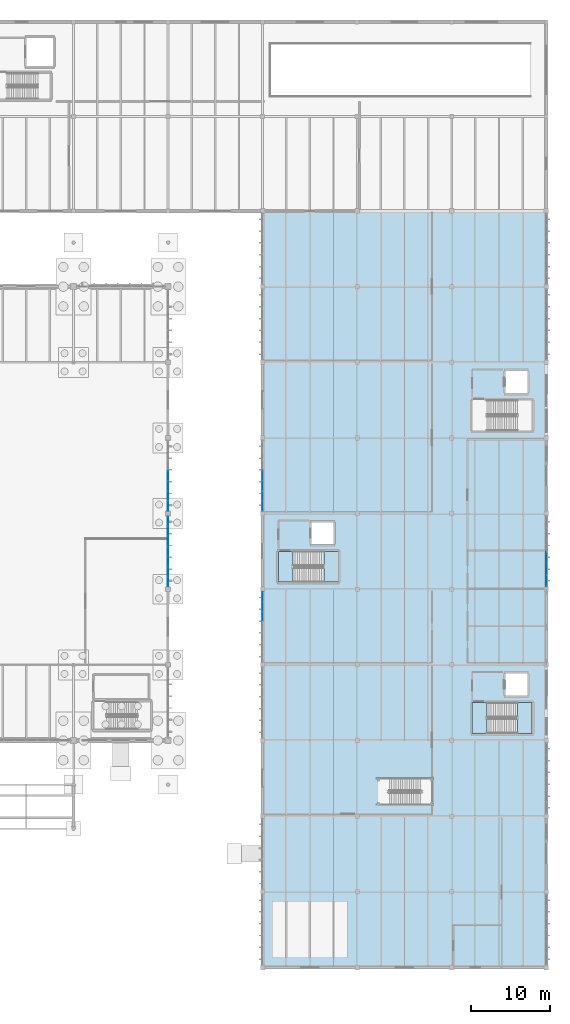
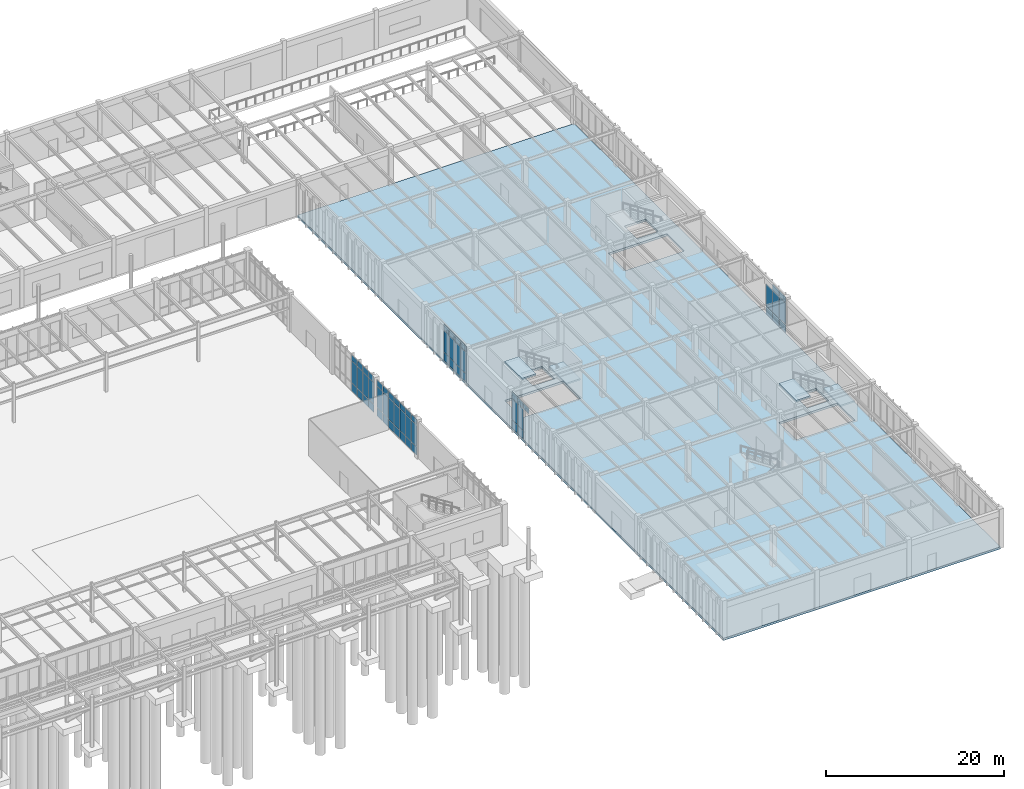
# One storey, part 142 of 188: 60 plates, 5 slabs, 7 elements without a shape of their own.
"""IFC4 building model written with IfcOpenShell, lengths in metres."""

from ifc_helpers import new_model, si_unit, direction, frame, origin, origin_2d, place, context, subcontext, project, spatial, polyline, rectangle, outline, extrude, material, layer, layer_set, type_object, element, aggregate, save


model = new_model("IFC4")

# Units and contexts
model_context = context("Model", 3, precision=1e-05, world=origin(), true_north=direction((0.0, 1.0)))
body_context = subcontext(model_context, "Body", "Model", "MODEL_VIEW")
ifc_project = project(units=[si_unit("LENGTHUNIT", "METRE"), si_unit("AREAUNIT", "SQUARE_METRE"), si_unit("VOLUMEUNIT", "CUBIC_METRE"), si_unit("PLANEANGLEUNIT", "RADIAN"), si_unit("MASSUNIT", "GRAM", prefix="KILO")], contexts=[model_context])

# Site, building, storey
site_placement = place(None, origin())
site = spatial("IfcSite", under=ifc_project, at=site_placement, CompositionType="ELEMENT")
building_placement = place(site_placement, origin())
building = spatial("IfcBuilding", under=site, at=building_placement, Name="Pandanus Reach Market Hall", CompositionType="ELEMENT")
storey_placement = place(building_placement, origin())
storey = spatial("IfcBuildingStorey", under=building, at=storey_placement, Name="L00", CompositionType="ELEMENT", Elevation=0.0)

# Curtain wall, plates
ifc_material_1 = material(Name="Bronze anodised aluminium and low-E glass", Category="aluminium")
ifc_layer_1 = layer(ifc_material_1, 0.159912109375, Name="CW-25")
ifc_layer_set_1 = layer_set([ifc_layer_1], Name="Bronze anodised aluminium and low-E glass")
curtain_wall_type_1 = type_object("IfcCurtainWallType", Name="CW-25", PredefinedType="NOTDEFINED", material=ifc_layer_set_1)
curtain_wall_1_placement = place(storey_placement, origin())
curtain_wall_1 = element("IfcCurtainWall", 1, at=curtain_wall_1_placement, inside=storey, type_object=curtain_wall_type_1, Name="Glazed curtain wall CW-25 CW-0072", PredefinedType="NOTDEFINED")
ifc_material_2 = material(Name="Solar-control double glazing", Category="glass")
ifc_layer_2 = layer(ifc_material_2, 0.028076171875, Name="CW-P1")
ifc_layer_set_2 = layer_set([ifc_layer_2], Name="Solar-control double glazing")
plate_type_1 = type_object("IfcPlateType", Name="CW-P1", PredefinedType="CURTAIN_PANEL", material=ifc_layer_set_2)
plate_1_placement = place(storey_placement, frame((180.0, 49.066162109375, 0.06494140625), z_axis=(0.0, 0.0, 1.0), x_axis=(0.0, 1.0, 0.0)))
plate_1 = element("IfcPlate", 2, at=plate_1_placement, type_object=plate_type_1, Name="CW-25 panel 1.1", PredefinedType="CURTAIN_PANEL", context=body_context, shape_type="SweptSolid", body=[
    extrude(rectangle(XDim=1.402587890625, YDim=0.028076171875, at=origin_2d()), origin(), (0.0, 0.0, 1.0), 1.1025390625),
])
plate_2_placement = place(storey_placement, frame((180.0, 49.066162109375, 1.232421875), z_axis=(0.0, 0.0, 1.0), x_axis=(0.0, 1.0, 0.0)))
plate_2 = element("IfcPlate", 3, at=plate_2_placement, type_object=plate_type_1, Name="CW-25 panel 1.2", PredefinedType="CURTAIN_PANEL", context=body_context, shape_type="SweptSolid", body=[
    extrude(rectangle(XDim=1.402587890625, YDim=0.028076171875, at=origin_2d()), origin(), (0.0, 0.0, 1.0), 2.93505859375),
])
plate_3_placement = place(storey_placement, frame((180.0, 49.066162109375, 4.232421875), z_axis=(0.0, 0.0, 1.0), x_axis=(0.0, 1.0, 0.0)))
plate_3 = element("IfcPlate", 4, at=plate_3_placement, type_object=plate_type_1, Name="CW-25 panel 1.3", PredefinedType="CURTAIN_PANEL", context=body_context, shape_type="SweptSolid", body=[
    extrude(rectangle(XDim=1.402587890625, YDim=0.028076171875, at=origin_2d()), origin(), (0.0, 0.0, 1.0), 0.802490234375),
])
plate_4_placement = place(storey_placement, frame((180.0, 50.550048828125, 0.06494140625), z_axis=(0.0, 0.0, 1.0), x_axis=(0.0, 1.0, 0.0)))
plate_4 = element("IfcPlate", 5, at=plate_4_placement, type_object=plate_type_1, Name="CW-25 panel 2.1", PredefinedType="CURTAIN_PANEL", context=body_context, shape_type="SweptSolid", body=[
    extrude(rectangle(XDim=1.43505859375, YDim=0.028076171875, at=origin_2d()), origin(), (0.0, 0.0, 1.0), 1.1025390625),
])
plate_5_placement = place(storey_placement, frame((180.0, 50.550048828125, 1.232421875), z_axis=(0.0, 0.0, 1.0), x_axis=(0.0, 1.0, 0.0)))
plate_5 = element("IfcPlate", 6, at=plate_5_placement, type_object=plate_type_1, Name="CW-25 panel 2.2", PredefinedType="CURTAIN_PANEL", context=body_context, shape_type="SweptSolid", body=[
    extrude(rectangle(XDim=1.43505859375, YDim=0.028076171875, at=origin_2d()), origin(), (0.0, 0.0, 1.0), 2.93505859375),
])
plate_6_placement = place(storey_placement, frame((180.0, 50.550048828125, 4.232421875), z_axis=(0.0, 0.0, 1.0), x_axis=(0.0, 1.0, 0.0)))
plate_6 = element("IfcPlate", 7, at=plate_6_placement, type_object=plate_type_1, Name="CW-25 panel 2.3", PredefinedType="CURTAIN_PANEL", context=body_context, shape_type="SweptSolid", body=[
    extrude(rectangle(XDim=1.43505859375, YDim=0.028076171875, at=origin_2d()), origin(), (0.0, 0.0, 1.0), 0.802490234375),
])
plate_7_placement = place(storey_placement, frame((180.0, 52.050048828125, 0.06494140625), z_axis=(0.0, 0.0, 1.0), x_axis=(0.0, 1.0, 0.0)))
plate_7 = element("IfcPlate", 8, at=plate_7_placement, type_object=plate_type_1, Name="CW-25 panel 3.1", PredefinedType="CURTAIN_PANEL", context=body_context, shape_type="SweptSolid", body=[
    extrude(rectangle(XDim=1.43505859375, YDim=0.028076171875, at=origin_2d()), origin(), (0.0, 0.0, 1.0), 1.1025390625),
])
plate_8_placement = place(storey_placement, frame((180.0, 52.050048828125, 1.232421875), z_axis=(0.0, 0.0, 1.0), x_axis=(0.0, 1.0, 0.0)))
plate_8 = element("IfcPlate", 9, at=plate_8_placement, type_object=plate_type_1, Name="CW-25 panel 3.2", PredefinedType="CURTAIN_PANEL", context=body_context, shape_type="SweptSolid", body=[
    extrude(rectangle(XDim=1.43505859375, YDim=0.028076171875, at=origin_2d()), origin(), (0.0, 0.0, 1.0), 2.93505859375),
])
aggregate(curtain_wall_1, [plate_1, plate_2, plate_3, plate_4, plate_5, plate_6, plate_7, plate_8])

ifc_layer_3 = layer(ifc_material_1, 0.159912109375, Name="CW-26")
ifc_layer_set_3 = layer_set([ifc_layer_3], Name="Bronze anodised aluminium and low-E glass")
curtain_wall_type_2 = type_object("IfcCurtainWallType", Name="CW-26", PredefinedType="NOTDEFINED", material=ifc_layer_set_3)
curtain_wall_2_placement = place(storey_placement, origin())
curtain_wall_2 = element("IfcCurtainWall", 10, at=curtain_wall_2_placement, inside=storey, type_object=curtain_wall_type_2, Name="Glazed curtain wall CW-26 CW-0078", PredefinedType="NOTDEFINED")
plate_9_placement = place(storey_placement, frame((144.0, 44.485595703125, 4.232421875), z_axis=(0.0, 0.0, 1.0), x_axis=(0.0, 1.0, 0.0)))
plate_9 = element("IfcPlate", 11, at=plate_9_placement, type_object=plate_type_1, Name="CW-26 panel 5.3", PredefinedType="CURTAIN_PANEL", context=body_context, shape_type="SweptSolid", body=[
    extrude(rectangle(XDim=1.220703125, YDim=0.028076171875, at=origin_2d()), origin(), (0.0, 0.0, 1.0), 0.802490234375),
])
plate_10_placement = place(storey_placement, frame((144.0, 45.771484375, 0.06494140625), z_axis=(0.0, 0.0, 1.0), x_axis=(0.0, 1.0, 0.0)))
plate_10 = element("IfcPlate", 12, at=plate_10_placement, type_object=plate_type_1, Name="CW-26 panel 6.1", PredefinedType="CURTAIN_PANEL", context=body_context, shape_type="SweptSolid", body=[
    extrude(rectangle(XDim=1.220703125, YDim=0.028076171875, at=origin_2d()), origin(), (0.0, 0.0, 1.0), 1.1025390625),
])
plate_11_placement = place(storey_placement, frame((144.0, 45.771484375, 1.232421875), z_axis=(0.0, 0.0, 1.0), x_axis=(0.0, 1.0, 0.0)))
plate_11 = element("IfcPlate", 13, at=plate_11_placement, type_object=plate_type_1, Name="CW-26 panel 6.2", PredefinedType="CURTAIN_PANEL", context=body_context, shape_type="SweptSolid", body=[
    extrude(rectangle(XDim=1.220703125, YDim=0.028076171875, at=origin_2d()), origin(), (0.0, 0.0, 1.0), 2.93505859375),
])
plate_12_placement = place(storey_placement, frame((144.0, 45.771484375, 4.232421875), z_axis=(0.0, 0.0, 1.0), x_axis=(0.0, 1.0, 0.0)))
plate_12 = element("IfcPlate", 14, at=plate_12_placement, type_object=plate_type_1, Name="CW-26 panel 6.3", PredefinedType="CURTAIN_PANEL", context=body_context, shape_type="SweptSolid", body=[
    extrude(rectangle(XDim=1.220703125, YDim=0.028076171875, at=origin_2d()), origin(), (0.0, 0.0, 1.0), 0.802490234375),
])
plate_13_placement = place(storey_placement, frame((144.0, 47.040771484375, 0.06494140625), z_axis=(0.0, 0.0, 1.0), x_axis=(0.0, 1.0, 0.0)))
plate_13 = element("IfcPlate", 15, at=plate_13_placement, type_object=plate_type_1, Name="CW-26 panel 7.1", PredefinedType="CURTAIN_PANEL", context=body_context, shape_type="SweptSolid", body=[
    extrude(rectangle(XDim=1.188232421875, YDim=0.028076171875, at=origin_2d()), origin(), (0.0, 0.0, 1.0), 1.1025390625),
])
plate_14_placement = place(storey_placement, frame((144.0, 47.040771484375, 1.232421875), z_axis=(0.0, 0.0, 1.0), x_axis=(0.0, 1.0, 0.0)))
plate_14 = element("IfcPlate", 16, at=plate_14_placement, type_object=plate_type_1, Name="CW-26 panel 7.2", PredefinedType="CURTAIN_PANEL", context=body_context, shape_type="SweptSolid", body=[
    extrude(rectangle(XDim=1.188232421875, YDim=0.028076171875, at=origin_2d()), origin(), (0.0, 0.0, 1.0), 2.93505859375),
])
plate_15_placement = place(storey_placement, frame((144.0, 47.040771484375, 4.232421875), z_axis=(0.0, 0.0, 1.0), x_axis=(0.0, 1.0, 0.0)))
plate_15 = element("IfcPlate", 17, at=plate_15_placement, type_object=plate_type_1, Name="CW-26 panel 7.3", PredefinedType="CURTAIN_PANEL", context=body_context, shape_type="SweptSolid", body=[
    extrude(rectangle(XDim=1.188232421875, YDim=0.028076171875, at=origin_2d()), origin(), (0.0, 0.0, 1.0), 0.802490234375),
])
aggregate(curtain_wall_2, [plate_9, plate_10, plate_11, plate_12, plate_13, plate_14, plate_15])

curtain_wall_3_placement = place(storey_placement, origin())
curtain_wall_3 = element("IfcCurtainWall", 18, at=curtain_wall_3_placement, inside=storey, type_object=curtain_wall_type_2, Name="Glazed curtain wall CW-26 CW-0079", PredefinedType="NOTDEFINED")
plate_16_placement = place(storey_placement, frame((144.0, 58.55908203125, 0.06494140625), z_axis=(0.0, 0.0, 1.0), x_axis=(0.0, 1.0, 0.0)))
plate_16 = element("IfcPlate", 19, at=plate_16_placement, type_object=plate_type_1, Name="CW-26 panel 1.1", PredefinedType="CURTAIN_PANEL", context=body_context, shape_type="SweptSolid", body=[
    extrude(rectangle(XDim=1.188232421875, YDim=0.028076171875, at=origin_2d()), origin(), (0.0, 0.0, 1.0), 1.1025390625),
])
plate_17_placement = place(storey_placement, frame((144.0, 58.55908203125, 1.232421875), z_axis=(0.0, 0.0, 1.0), x_axis=(0.0, 1.0, 0.0)))
plate_17 = element("IfcPlate", 20, at=plate_17_placement, type_object=plate_type_1, Name="CW-26 panel 1.2", PredefinedType="CURTAIN_PANEL", context=body_context, shape_type="SweptSolid", body=[
    extrude(rectangle(XDim=1.188232421875, YDim=0.028076171875, at=origin_2d()), origin(), (0.0, 0.0, 1.0), 2.93505859375),
])
plate_18_placement = place(storey_placement, frame((144.0, 58.55908203125, 4.232421875), z_axis=(0.0, 0.0, 1.0), x_axis=(0.0, 1.0, 0.0)))
plate_18 = element("IfcPlate", 21, at=plate_18_placement, type_object=plate_type_1, Name="CW-26 panel 1.3", PredefinedType="CURTAIN_PANEL", context=body_context, shape_type="SweptSolid", body=[
    extrude(rectangle(XDim=1.188232421875, YDim=0.028076171875, at=origin_2d()), origin(), (0.0, 0.0, 1.0), 0.802490234375),
])
plate_19_placement = place(storey_placement, frame((144.0, 59.82861328125, 0.06494140625), z_axis=(0.0, 0.0, 1.0), x_axis=(0.0, 1.0, 0.0)))
plate_19 = element("IfcPlate", 22, at=plate_19_placement, type_object=plate_type_1, Name="CW-26 panel 2.1", PredefinedType="CURTAIN_PANEL", context=body_context, shape_type="SweptSolid", body=[
    extrude(rectangle(XDim=1.220703125, YDim=0.028076171875, at=origin_2d()), origin(), (0.0, 0.0, 1.0), 1.1025390625),
])
plate_20_placement = place(storey_placement, frame((144.0, 59.82861328125, 1.232421875), z_axis=(0.0, 0.0, 1.0), x_axis=(0.0, 1.0, 0.0)))
plate_20 = element("IfcPlate", 23, at=plate_20_placement, type_object=plate_type_1, Name="CW-26 panel 2.2", PredefinedType="CURTAIN_PANEL", context=body_context, shape_type="SweptSolid", body=[
    extrude(rectangle(XDim=1.220703125, YDim=0.028076171875, at=origin_2d()), origin(), (0.0, 0.0, 1.0), 2.93505859375),
])
plate_21_placement = place(storey_placement, frame((144.0, 59.82861328125, 4.232421875), z_axis=(0.0, 0.0, 1.0), x_axis=(0.0, 1.0, 0.0)))
plate_21 = element("IfcPlate", 24, at=plate_21_placement, type_object=plate_type_1, Name="CW-26 panel 2.3", PredefinedType="CURTAIN_PANEL", context=body_context, shape_type="SweptSolid", body=[
    extrude(rectangle(XDim=1.220703125, YDim=0.028076171875, at=origin_2d()), origin(), (0.0, 0.0, 1.0), 0.802490234375),
])
plate_22_placement = place(storey_placement, frame((144.0, 61.1142578125, 0.06494140625), z_axis=(0.0, 0.0, 1.0), x_axis=(0.0, 1.0, 0.0)))
plate_22 = element("IfcPlate", 25, at=plate_22_placement, type_object=plate_type_1, Name="CW-26 panel 3.1", PredefinedType="CURTAIN_PANEL", context=body_context, shape_type="SweptSolid", body=[
    extrude(rectangle(XDim=1.220703125, YDim=0.028076171875, at=origin_2d()), origin(), (0.0, 0.0, 1.0), 1.1025390625),
])
plate_23_placement = place(storey_placement, frame((144.0, 61.1142578125, 1.232421875), z_axis=(0.0, 0.0, 1.0), x_axis=(0.0, 1.0, 0.0)))
plate_23 = element("IfcPlate", 26, at=plate_23_placement, type_object=plate_type_1, Name="CW-26 panel 3.2", PredefinedType="CURTAIN_PANEL", context=body_context, shape_type="SweptSolid", body=[
    extrude(rectangle(XDim=1.220703125, YDim=0.028076171875, at=origin_2d()), origin(), (0.0, 0.0, 1.0), 2.93505859375),
])
plate_24_placement = place(storey_placement, frame((144.0, 61.1142578125, 4.232421875), z_axis=(0.0, 0.0, 1.0), x_axis=(0.0, 1.0, 0.0)))
plate_24 = element("IfcPlate", 27, at=plate_24_placement, type_object=plate_type_1, Name="CW-26 panel 3.3", PredefinedType="CURTAIN_PANEL", context=body_context, shape_type="SweptSolid", body=[
    extrude(rectangle(XDim=1.220703125, YDim=0.028076171875, at=origin_2d()), origin(), (0.0, 0.0, 1.0), 0.802490234375),
])
plate_25_placement = place(storey_placement, frame((144.0, 62.39990234375, 0.06494140625), z_axis=(0.0, 0.0, 1.0), x_axis=(0.0, 1.0, 0.0)))
plate_25 = element("IfcPlate", 28, at=plate_25_placement, type_object=plate_type_1, Name="CW-26 panel 4.1", PredefinedType="CURTAIN_PANEL", context=body_context, shape_type="SweptSolid", body=[
    extrude(rectangle(XDim=1.220703125, YDim=0.028076171875, at=origin_2d()), origin(), (0.0, 0.0, 1.0), 1.1025390625),
])
plate_26_placement = place(storey_placement, frame((144.0, 62.39990234375, 1.232421875), z_axis=(0.0, 0.0, 1.0), x_axis=(0.0, 1.0, 0.0)))
plate_26 = element("IfcPlate", 29, at=plate_26_placement, type_object=plate_type_1, Name="CW-26 panel 4.2", PredefinedType="CURTAIN_PANEL", context=body_context, shape_type="SweptSolid", body=[
    extrude(rectangle(XDim=1.220703125, YDim=0.028076171875, at=origin_2d()), origin(), (0.0, 0.0, 1.0), 2.93505859375),
])
plate_27_placement = place(storey_placement, frame((144.0, 62.39990234375, 4.232421875), z_axis=(0.0, 0.0, 1.0), x_axis=(0.0, 1.0, 0.0)))
plate_27 = element("IfcPlate", 30, at=plate_27_placement, type_object=plate_type_1, Name="CW-26 panel 4.3", PredefinedType="CURTAIN_PANEL", context=body_context, shape_type="SweptSolid", body=[
    extrude(rectangle(XDim=1.220703125, YDim=0.028076171875, at=origin_2d()), origin(), (0.0, 0.0, 1.0), 0.802490234375),
])
aggregate(curtain_wall_3, [plate_16, plate_17, plate_18, plate_19, plate_20, plate_21, plate_22, plate_23, plate_24, plate_25, plate_26, plate_27])

ifc_layer_4 = layer(ifc_material_1, 0.199951171875, Name="CW-06")
ifc_layer_set_4 = layer_set([ifc_layer_4], Name="Bronze anodised aluminium and low-E glass")
curtain_wall_type_3 = type_object("IfcCurtainWallType", Name="CW-06", PredefinedType="NOTDEFINED", material=ifc_layer_set_4)
curtain_wall_4_placement = place(storey_placement, origin())
curtain_wall_4 = element("IfcCurtainWall", 31, at=curtain_wall_4_placement, inside=storey, type_object=curtain_wall_type_3, Name="Glazed curtain wall CW-06 CW-0026", PredefinedType="NOTDEFINED")
ifc_material_3 = material(Name="Acoustic laminated solar double glazing", Category="glass")
ifc_layer_5 = layer(ifc_material_3, 0.031982421875, Name="CW-P2")
ifc_layer_set_5 = layer_set([ifc_layer_5], Name="Acoustic laminated solar double glazing")
plate_type_2 = type_object("IfcPlateType", Name="CW-P2", PredefinedType="CURTAIN_PANEL", material=ifc_layer_set_5)
plate_28_placement = place(storey_placement, frame((132.0, 48.961669921875, 0.074951171875), z_axis=(0.0, 0.0, 1.0), x_axis=(0.0, 1.0, 0.0)))
plate_28 = element("IfcPlate", 32, at=plate_28_placement, type_object=plate_type_2, Name="CW-06 panel 1.1", PredefinedType="CURTAIN_PANEL", context=body_context, shape_type="SweptSolid", body=[
    extrude(rectangle(XDim=1.173095703125, YDim=0.031982421875, at=origin_2d()), origin(), (0.0, 0.0, 1.0), 1.08740234375),
])
plate_29_placement = place(storey_placement, frame((132.0, 48.961669921875, 1.2373046875), z_axis=(0.0, 0.0, 1.0), x_axis=(0.0, 1.0, 0.0)))
plate_29 = element("IfcPlate", 33, at=plate_29_placement, type_object=plate_type_2, Name="CW-06 panel 1.2", PredefinedType="CURTAIN_PANEL", context=body_context, shape_type="SweptSolid", body=[
    extrude(rectangle(XDim=1.173095703125, YDim=0.031982421875, at=origin_2d()), origin(), (0.0, 0.0, 1.0), 2.925048828125),
])
plate_30_placement = place(storey_placement, frame((132.0, 48.961669921875, 4.237548828125), z_axis=(0.0, 0.0, 1.0), x_axis=(0.0, 1.0, 0.0)))
plate_30 = element("IfcPlate", 34, at=plate_30_placement, type_object=plate_type_2, Name="CW-06 panel 1.3", PredefinedType="CURTAIN_PANEL", context=body_context, shape_type="SweptSolid", body=[
    extrude(rectangle(XDim=1.173095703125, YDim=0.031982421875, at=origin_2d()), origin(), (0.0, 0.0, 1.0), 0.78759765625),
])
plate_31_placement = place(storey_placement, frame((132.0, 50.228515625, 0.074951171875), z_axis=(0.0, 0.0, 1.0), x_axis=(0.0, 1.0, 0.0)))
plate_31 = element("IfcPlate", 35, at=plate_31_placement, type_object=plate_type_2, Name="CW-06 panel 2.1", PredefinedType="CURTAIN_PANEL", context=body_context, shape_type="SweptSolid", body=[
    extrude(rectangle(XDim=1.210693359375, YDim=0.031982421875, at=origin_2d()), origin(), (0.0, 0.0, 1.0), 1.08740234375),
])
plate_32_placement = place(storey_placement, frame((132.0, 50.228515625, 1.2373046875), z_axis=(0.0, 0.0, 1.0), x_axis=(0.0, 1.0, 0.0)))
plate_32 = element("IfcPlate", 36, at=plate_32_placement, type_object=plate_type_2, Name="CW-06 panel 2.2", PredefinedType="CURTAIN_PANEL", context=body_context, shape_type="SweptSolid", body=[
    extrude(rectangle(XDim=1.210693359375, YDim=0.031982421875, at=origin_2d()), origin(), (0.0, 0.0, 1.0), 2.925048828125),
])
plate_33_placement = place(storey_placement, frame((132.0, 50.228515625, 4.237548828125), z_axis=(0.0, 0.0, 1.0), x_axis=(0.0, 1.0, 0.0)))
plate_33 = element("IfcPlate", 37, at=plate_33_placement, type_object=plate_type_2, Name="CW-06 panel 2.3", PredefinedType="CURTAIN_PANEL", context=body_context, shape_type="SweptSolid", body=[
    extrude(rectangle(XDim=1.210693359375, YDim=0.031982421875, at=origin_2d()), origin(), (0.0, 0.0, 1.0), 0.78759765625),
])
plate_34_placement = place(storey_placement, frame((132.0, 51.514404296875, 0.074951171875), z_axis=(0.0, 0.0, 1.0), x_axis=(0.0, 1.0, 0.0)))
plate_34 = element("IfcPlate", 38, at=plate_34_placement, type_object=plate_type_2, Name="CW-06 panel 3.1", PredefinedType="CURTAIN_PANEL", context=body_context, shape_type="SweptSolid", body=[
    extrude(rectangle(XDim=1.210693359375, YDim=0.031982421875, at=origin_2d()), origin(), (0.0, 0.0, 1.0), 1.08740234375),
])
plate_35_placement = place(storey_placement, frame((132.0, 51.514404296875, 1.2373046875), z_axis=(0.0, 0.0, 1.0), x_axis=(0.0, 1.0, 0.0)))
plate_35 = element("IfcPlate", 39, at=plate_35_placement, type_object=plate_type_2, Name="CW-06 panel 3.2", PredefinedType="CURTAIN_PANEL", context=body_context, shape_type="SweptSolid", body=[
    extrude(rectangle(XDim=1.210693359375, YDim=0.031982421875, at=origin_2d()), origin(), (0.0, 0.0, 1.0), 2.925048828125),
])
plate_36_placement = place(storey_placement, frame((132.0, 51.514404296875, 4.237548828125), z_axis=(0.0, 0.0, 1.0), x_axis=(0.0, 1.0, 0.0)))
plate_36 = element("IfcPlate", 40, at=plate_36_placement, type_object=plate_type_2, Name="CW-06 panel 3.3", PredefinedType="CURTAIN_PANEL", context=body_context, shape_type="SweptSolid", body=[
    extrude(rectangle(XDim=1.210693359375, YDim=0.031982421875, at=origin_2d()), origin(), (0.0, 0.0, 1.0), 0.78759765625),
])
plate_37_placement = place(storey_placement, frame((132.0, 52.800048828125, 0.074951171875), z_axis=(0.0, 0.0, 1.0), x_axis=(0.0, 1.0, 0.0)))
plate_37 = element("IfcPlate", 41, at=plate_37_placement, type_object=plate_type_2, Name="CW-06 panel 4.1", PredefinedType="CURTAIN_PANEL", context=body_context, shape_type="SweptSolid", body=[
    extrude(rectangle(XDim=1.210693359375, YDim=0.031982421875, at=origin_2d()), origin(), (0.0, 0.0, 1.0), 1.08740234375),
])
plate_38_placement = place(storey_placement, frame((132.0, 52.800048828125, 1.2373046875), z_axis=(0.0, 0.0, 1.0), x_axis=(0.0, 1.0, 0.0)))
plate_38 = element("IfcPlate", 42, at=plate_38_placement, type_object=plate_type_2, Name="CW-06 panel 4.2", PredefinedType="CURTAIN_PANEL", context=body_context, shape_type="SweptSolid", body=[
    extrude(rectangle(XDim=1.210693359375, YDim=0.031982421875, at=origin_2d()), origin(), (0.0, 0.0, 1.0), 2.925048828125),
])
plate_39_placement = place(storey_placement, frame((132.0, 52.800048828125, 4.237548828125), z_axis=(0.0, 0.0, 1.0), x_axis=(0.0, 1.0, 0.0)))
plate_39 = element("IfcPlate", 43, at=plate_39_placement, type_object=plate_type_2, Name="CW-06 panel 4.3", PredefinedType="CURTAIN_PANEL", context=body_context, shape_type="SweptSolid", body=[
    extrude(rectangle(XDim=1.210693359375, YDim=0.031982421875, at=origin_2d()), origin(), (0.0, 0.0, 1.0), 0.78759765625),
])
plate_40_placement = place(storey_placement, frame((132.0, 54.085693359375, 0.074951171875), z_axis=(0.0, 0.0, 1.0), x_axis=(0.0, 1.0, 0.0)))
plate_40 = element("IfcPlate", 44, at=plate_40_placement, type_object=plate_type_2, Name="CW-06 panel 5.1", PredefinedType="CURTAIN_PANEL", context=body_context, shape_type="SweptSolid", body=[
    extrude(rectangle(XDim=1.210693359375, YDim=0.031982421875, at=origin_2d()), origin(), (0.0, 0.0, 1.0), 1.08740234375),
])
plate_41_placement = place(storey_placement, frame((132.0, 54.085693359375, 1.2373046875), z_axis=(0.0, 0.0, 1.0), x_axis=(0.0, 1.0, 0.0)))
plate_41 = element("IfcPlate", 45, at=plate_41_placement, type_object=plate_type_2, Name="CW-06 panel 5.2", PredefinedType="CURTAIN_PANEL", context=body_context, shape_type="SweptSolid", body=[
    extrude(rectangle(XDim=1.210693359375, YDim=0.031982421875, at=origin_2d()), origin(), (0.0, 0.0, 1.0), 2.925048828125),
])
plate_42_placement = place(storey_placement, frame((132.0, 54.085693359375, 4.237548828125), z_axis=(0.0, 0.0, 1.0), x_axis=(0.0, 1.0, 0.0)))
plate_42 = element("IfcPlate", 46, at=plate_42_placement, type_object=plate_type_2, Name="CW-06 panel 5.3", PredefinedType="CURTAIN_PANEL", context=body_context, shape_type="SweptSolid", body=[
    extrude(rectangle(XDim=1.210693359375, YDim=0.031982421875, at=origin_2d()), origin(), (0.0, 0.0, 1.0), 0.78759765625),
])
plate_43_placement = place(storey_placement, frame((132.0, 55.371337890625, 0.074951171875), z_axis=(0.0, 0.0, 1.0), x_axis=(0.0, 1.0, 0.0)))
plate_43 = element("IfcPlate", 47, at=plate_43_placement, type_object=plate_type_2, Name="CW-06 panel 6.1", PredefinedType="CURTAIN_PANEL", context=body_context, shape_type="SweptSolid", body=[
    extrude(rectangle(XDim=1.210693359375, YDim=0.031982421875, at=origin_2d()), origin(), (0.0, 0.0, 1.0), 1.08740234375),
])
plate_44_placement = place(storey_placement, frame((132.0, 55.371337890625, 1.2373046875), z_axis=(0.0, 0.0, 1.0), x_axis=(0.0, 1.0, 0.0)))
plate_44 = element("IfcPlate", 48, at=plate_44_placement, type_object=plate_type_2, Name="CW-06 panel 6.2", PredefinedType="CURTAIN_PANEL", context=body_context, shape_type="SweptSolid", body=[
    extrude(rectangle(XDim=1.210693359375, YDim=0.031982421875, at=origin_2d()), origin(), (0.0, 0.0, 1.0), 2.925048828125),
])
plate_45_placement = place(storey_placement, frame((132.0, 55.371337890625, 4.237548828125), z_axis=(0.0, 0.0, 1.0), x_axis=(0.0, 1.0, 0.0)))
plate_45 = element("IfcPlate", 49, at=plate_45_placement, type_object=plate_type_2, Name="CW-06 panel 6.3", PredefinedType="CURTAIN_PANEL", context=body_context, shape_type="SweptSolid", body=[
    extrude(rectangle(XDim=1.210693359375, YDim=0.031982421875, at=origin_2d()), origin(), (0.0, 0.0, 1.0), 0.78759765625),
])
plate_46_placement = place(storey_placement, frame((132.0, 56.638427734375, 0.074951171875), z_axis=(0.0, 0.0, 1.0), x_axis=(0.0, 1.0, 0.0)))
plate_46 = element("IfcPlate", 50, at=plate_46_placement, type_object=plate_type_2, Name="CW-06 panel 7.1", PredefinedType="CURTAIN_PANEL", context=body_context, shape_type="SweptSolid", body=[
    extrude(rectangle(XDim=1.173095703125, YDim=0.031982421875, at=origin_2d()), origin(), (0.0, 0.0, 1.0), 1.08740234375),
])
plate_47_placement = place(storey_placement, frame((132.0, 56.638427734375, 1.2373046875), z_axis=(0.0, 0.0, 1.0), x_axis=(0.0, 1.0, 0.0)))
plate_47 = element("IfcPlate", 51, at=plate_47_placement, type_object=plate_type_2, Name="CW-06 panel 7.2", PredefinedType="CURTAIN_PANEL", context=body_context, shape_type="SweptSolid", body=[
    extrude(rectangle(XDim=1.173095703125, YDim=0.031982421875, at=origin_2d()), origin(), (0.0, 0.0, 1.0), 2.925048828125),
])
plate_48_placement = place(storey_placement, frame((132.0, 56.638427734375, 4.237548828125), z_axis=(0.0, 0.0, 1.0), x_axis=(0.0, 1.0, 0.0)))
plate_48 = element("IfcPlate", 52, at=plate_48_placement, type_object=plate_type_2, Name="CW-06 panel 7.3", PredefinedType="CURTAIN_PANEL", context=body_context, shape_type="SweptSolid", body=[
    extrude(rectangle(XDim=1.173095703125, YDim=0.031982421875, at=origin_2d()), origin(), (0.0, 0.0, 1.0), 0.78759765625),
])
aggregate(curtain_wall_4, [plate_28, plate_29, plate_30, plate_31, plate_32, plate_33, plate_34, plate_35, plate_36, plate_37, plate_38, plate_39, plate_40, plate_41, plate_42, plate_43, plate_44, plate_45, plate_46, plate_47, plate_48])

curtain_wall_5_placement = place(storey_placement, origin())
curtain_wall_5 = element("IfcCurtainWall", 53, at=curtain_wall_5_placement, inside=storey, type_object=curtain_wall_type_3, Name="Glazed curtain wall CW-06 CW-0030", PredefinedType="NOTDEFINED")
plate_49_placement = place(storey_placement, frame((132.0, 58.5615234375, 0.074951171875), z_axis=(0.0, 0.0, 1.0), x_axis=(0.0, 1.0, 0.0)))
plate_49 = element("IfcPlate", 54, at=plate_49_placement, type_object=plate_type_2, Name="CW-06 panel 1.1", PredefinedType="CURTAIN_PANEL", context=body_context, shape_type="SweptSolid", body=[
    extrude(rectangle(XDim=1.173095703125, YDim=0.031982421875, at=origin_2d()), origin(), (0.0, 0.0, 1.0), 1.08740234375),
])
plate_50_placement = place(storey_placement, frame((132.0, 58.5615234375, 1.2373046875), z_axis=(0.0, 0.0, 1.0), x_axis=(0.0, 1.0, 0.0)))
plate_50 = element("IfcPlate", 55, at=plate_50_placement, type_object=plate_type_2, Name="CW-06 panel 1.2", PredefinedType="CURTAIN_PANEL", context=body_context, shape_type="SweptSolid", body=[
    extrude(rectangle(XDim=1.173095703125, YDim=0.031982421875, at=origin_2d()), origin(), (0.0, 0.0, 1.0), 2.925048828125),
])
plate_51_placement = place(storey_placement, frame((132.0, 58.5615234375, 4.237548828125), z_axis=(0.0, 0.0, 1.0), x_axis=(0.0, 1.0, 0.0)))
plate_51 = element("IfcPlate", 56, at=plate_51_placement, type_object=plate_type_2, Name="CW-06 panel 1.3", PredefinedType="CURTAIN_PANEL", context=body_context, shape_type="SweptSolid", body=[
    extrude(rectangle(XDim=1.173095703125, YDim=0.031982421875, at=origin_2d()), origin(), (0.0, 0.0, 1.0), 0.78759765625),
])
plate_52_placement = place(storey_placement, frame((132.0, 59.82861328125, 0.074951171875), z_axis=(0.0, 0.0, 1.0), x_axis=(0.0, 1.0, 0.0)))
plate_52 = element("IfcPlate", 57, at=plate_52_placement, type_object=plate_type_2, Name="CW-06 panel 2.1", PredefinedType="CURTAIN_PANEL", context=body_context, shape_type="SweptSolid", body=[
    extrude(rectangle(XDim=1.210693359375, YDim=0.031982421875, at=origin_2d()), origin(), (0.0, 0.0, 1.0), 1.08740234375),
])
plate_53_placement = place(storey_placement, frame((132.0, 59.82861328125, 1.2373046875), z_axis=(0.0, 0.0, 1.0), x_axis=(0.0, 1.0, 0.0)))
plate_53 = element("IfcPlate", 58, at=plate_53_placement, type_object=plate_type_2, Name="CW-06 panel 2.2", PredefinedType="CURTAIN_PANEL", context=body_context, shape_type="SweptSolid", body=[
    extrude(rectangle(XDim=1.210693359375, YDim=0.031982421875, at=origin_2d()), origin(), (0.0, 0.0, 1.0), 2.925048828125),
])
plate_54_placement = place(storey_placement, frame((132.0, 59.82861328125, 4.237548828125), z_axis=(0.0, 0.0, 1.0), x_axis=(0.0, 1.0, 0.0)))
plate_54 = element("IfcPlate", 59, at=plate_54_placement, type_object=plate_type_2, Name="CW-06 panel 2.3", PredefinedType="CURTAIN_PANEL", context=body_context, shape_type="SweptSolid", body=[
    extrude(rectangle(XDim=1.210693359375, YDim=0.031982421875, at=origin_2d()), origin(), (0.0, 0.0, 1.0), 0.78759765625),
])
plate_55_placement = place(storey_placement, frame((132.0, 61.1142578125, 0.074951171875), z_axis=(0.0, 0.0, 1.0), x_axis=(0.0, 1.0, 0.0)))
plate_55 = element("IfcPlate", 60, at=plate_55_placement, type_object=plate_type_2, Name="CW-06 panel 3.1", PredefinedType="CURTAIN_PANEL", context=body_context, shape_type="SweptSolid", body=[
    extrude(rectangle(XDim=1.210693359375, YDim=0.031982421875, at=origin_2d()), origin(), (0.0, 0.0, 1.0), 1.08740234375),
])
plate_56_placement = place(storey_placement, frame((132.0, 61.1142578125, 1.2373046875), z_axis=(0.0, 0.0, 1.0), x_axis=(0.0, 1.0, 0.0)))
plate_56 = element("IfcPlate", 61, at=plate_56_placement, type_object=plate_type_2, Name="CW-06 panel 3.2", PredefinedType="CURTAIN_PANEL", context=body_context, shape_type="SweptSolid", body=[
    extrude(rectangle(XDim=1.210693359375, YDim=0.031982421875, at=origin_2d()), origin(), (0.0, 0.0, 1.0), 2.925048828125),
])
plate_57_placement = place(storey_placement, frame((132.0, 61.1142578125, 4.237548828125), z_axis=(0.0, 0.0, 1.0), x_axis=(0.0, 1.0, 0.0)))
plate_57 = element("IfcPlate", 62, at=plate_57_placement, type_object=plate_type_2, Name="CW-06 panel 3.3", PredefinedType="CURTAIN_PANEL", context=body_context, shape_type="SweptSolid", body=[
    extrude(rectangle(XDim=1.210693359375, YDim=0.031982421875, at=origin_2d()), origin(), (0.0, 0.0, 1.0), 0.78759765625),
])
plate_58_placement = place(storey_placement, frame((132.0, 62.39990234375, 0.074951171875), z_axis=(0.0, 0.0, 1.0), x_axis=(0.0, 1.0, 0.0)))
plate_58 = element("IfcPlate", 63, at=plate_58_placement, type_object=plate_type_2, Name="CW-06 panel 4.1", PredefinedType="CURTAIN_PANEL", context=body_context, shape_type="SweptSolid", body=[
    extrude(rectangle(XDim=1.210693359375, YDim=0.031982421875, at=origin_2d()), origin(), (0.0, 0.0, 1.0), 1.08740234375),
])
plate_59_placement = place(storey_placement, frame((132.0, 62.39990234375, 1.2373046875), z_axis=(0.0, 0.0, 1.0), x_axis=(0.0, 1.0, 0.0)))
plate_59 = element("IfcPlate", 64, at=plate_59_placement, type_object=plate_type_2, Name="CW-06 panel 4.2", PredefinedType="CURTAIN_PANEL", context=body_context, shape_type="SweptSolid", body=[
    extrude(rectangle(XDim=1.210693359375, YDim=0.031982421875, at=origin_2d()), origin(), (0.0, 0.0, 1.0), 2.925048828125),
])
plate_60_placement = place(storey_placement, frame((132.0, 62.39990234375, 4.237548828125), z_axis=(0.0, 0.0, 1.0), x_axis=(0.0, 1.0, 0.0)))
plate_60 = element("IfcPlate", 65, at=plate_60_placement, type_object=plate_type_2, Name="CW-06 panel 4.3", PredefinedType="CURTAIN_PANEL", context=body_context, shape_type="SweptSolid", body=[
    extrude(rectangle(XDim=1.210693359375, YDim=0.031982421875, at=origin_2d()), origin(), (0.0, 0.0, 1.0), 0.78759765625),
])
aggregate(curtain_wall_5, [plate_49, plate_50, plate_51, plate_52, plate_53, plate_54, plate_55, plate_56, plate_57, plate_58, plate_59, plate_60])

# Slab
ifc_material_4 = material(Name="Concrete N40 (40 MPa)", Category="concrete")
ifc_layer_6 = layer(ifc_material_4, 0.304931640625, Name="SL-L00-V4")
ifc_layer_set_6 = layer_set([ifc_layer_6], Name="Concrete N40 (40 MPa)")
slab_type_1 = type_object("IfcSlabType", Name="SL-L00-V4", PredefinedType="FLOOR", material=ifc_layer_set_6)
slab_1_placement = place(storey_placement, frame((0.0, 0.0, -0.304931640625)))
element("IfcSlab", 66, at=slab_1_placement, inside=storey, type_object=slab_type_1, Name="Floor slab SL-L00-V4", PredefinedType="FLOOR", context=body_context, shape_type="SweptSolid", body=[
    extrude(outline(polyline([(144.0, 0.0), (180.0, 0.0), (180.0, 96.0), (144.0, 96.0), (144.0, 0.0)]), holes=[polyline([(170.60009765625, 29.699951171875), (178.219970703125, 29.699951171875), (178.219970703125, 33.60009765625), (170.60009765625, 33.60009765625), (170.60009765625, 29.699951171875)]), polyline([(174.800048828125, 34.5), (177.60009765625, 34.5), (177.60009765625, 37.300048828125), (174.800048828125, 37.300048828125), (174.800048828125, 34.5)]), polyline([(170.60009765625, 68.10009765625), (178.219970703125, 68.10009765625), (178.219970703125, 72.0), (170.60009765625, 72.0), (170.60009765625, 68.10009765625)]), polyline([(174.800048828125, 72.89990234375), (177.60009765625, 72.89990234375), (177.60009765625, 75.699951171875), (174.800048828125, 75.699951171875), (174.800048828125, 72.89990234375)]), polyline([(146.0, 48.89990234375), (153.6201171875, 48.89990234375), (153.6201171875, 52.800048828125), (146.0, 52.800048828125), (146.0, 48.89990234375)]), polyline([(150.199951171875, 53.699951171875), (153.0, 53.699951171875), (153.0, 56.5), (150.199951171875, 56.5), (150.199951171875, 53.699951171875)])]), origin(), (0.0, 0.0, 1.0), 0.304931640625),
])

# Stair, slabs
stair_type = type_object("IfcStairType", Name="STR-02", PredefinedType="HALF_TURN_STAIR", material=ifc_material_4)
stair_1_placement = place(storey_placement, origin())
stair_1 = element("IfcStair", 67, at=stair_1_placement, inside=storey, type_object=stair_type, Name="Stair ST-01 L00", PredefinedType="HALF_TURN_STAIR")
ifc_layer_7 = layer(ifc_material_4, 0.199951171875, Name="SL-LND-200")
ifc_layer_set_7 = layer_set([ifc_layer_7], Name="Concrete N40 (40 MPa)")
slab_type_2 = type_object("IfcSlabType", Name="SL-LND-200", PredefinedType="LANDING", material=ifc_layer_set_7)
slab_2_placement = place(storey_placement, frame((0.0, 0.0, 2.5)))
slab_2 = element("IfcSlab", 68, at=slab_2_placement, type_object=slab_type_2, Name="STR-02 landing 1", PredefinedType="LANDING", context=body_context, shape_type="SweptSolid", body=[
    extrude(outline(polyline([(176.3701171875, 29.699951171875), (178.219970703125, 29.699951171875), (178.219970703125, 33.60009765625), (176.3701171875, 33.60009765625), (176.3701171875, 29.699951171875)])), origin(), (0.0, 0.0, 1.0), 0.199951171875),
])
slab_3_placement = place(storey_placement, frame((0.0, 0.0, 5.199951171875)))
slab_3 = element("IfcSlab", 69, at=slab_3_placement, type_object=slab_type_2, Name="STR-02 landing 2", PredefinedType="LANDING", context=body_context, shape_type="SweptSolid", body=[
    extrude(outline(polyline([(170.60009765625, 29.699951171875), (172.449951171875, 29.699951171875), (172.449951171875, 33.60009765625), (170.60009765625, 33.60009765625), (170.60009765625, 29.699951171875)])), origin(), (0.0, 0.0, 1.0), 0.199951171875),
])
aggregate(stair_1, [slab_2, slab_3])

stair_2_placement = place(storey_placement, origin())
stair_2 = element("IfcStair", 70, at=stair_2_placement, inside=storey, type_object=stair_type, Name="Stair ST-03 L00", PredefinedType="HALF_TURN_STAIR")
slab_4_placement = place(storey_placement, frame((0.0, 0.0, 2.5)))
slab_4 = element("IfcSlab", 71, at=slab_4_placement, type_object=slab_type_2, Name="STR-02 landing 1", PredefinedType="LANDING", context=body_context, shape_type="SweptSolid", body=[
    extrude(outline(polyline([(151.77001953125, 48.89990234375), (153.6201171875, 48.89990234375), (153.6201171875, 52.800048828125), (151.77001953125, 52.800048828125), (151.77001953125, 48.89990234375)])), origin(), (0.0, 0.0, 1.0), 0.199951171875),
])
slab_5_placement = place(storey_placement, frame((0.0, 0.0, 5.199951171875)))
slab_5 = element("IfcSlab", 72, at=slab_5_placement, type_object=slab_type_2, Name="STR-02 landing 2", PredefinedType="LANDING", context=body_context, shape_type="SweptSolid", body=[
    extrude(outline(polyline([(146.0, 48.89990234375), (147.85009765625, 48.89990234375), (147.85009765625, 52.800048828125), (146.0, 52.800048828125), (146.0, 48.89990234375)])), origin(), (0.0, 0.0, 1.0), 0.199951171875),
])
aggregate(stair_2, [slab_4, slab_5])

save(model, "model.ifc")
